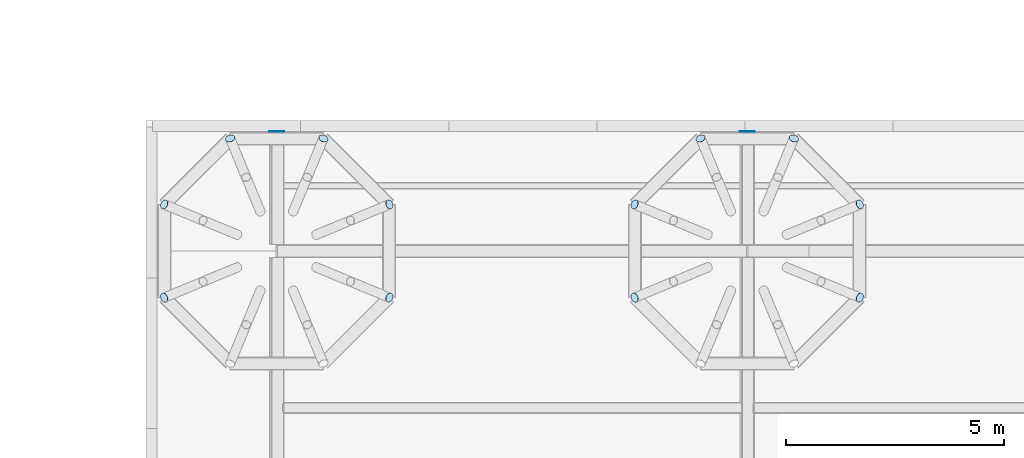
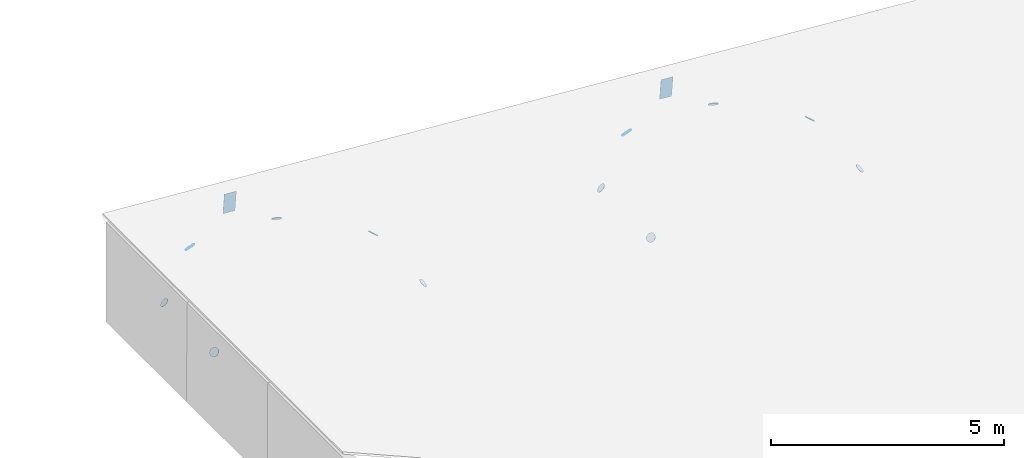
# One storey, part 66 of 95: 14 plates.
"""IFC4 building model written with IfcOpenShell, lengths in metres."""

from ifc_helpers import new_model, si_unit, direction, frame, origin, origin_2d, place, context, subcontext, project, spatial, rectangle, circle, extrude, material, material_profile, profile_set, type_object, element, save


model = new_model("IFC4")

# Units and contexts
model_context = context("Model", 3, precision=1e-05, world=origin(), true_north=direction((0.0, 1.0)))
body_context = subcontext(model_context, "Body", "Model", "MODEL_VIEW")
ifc_project = project(units=[si_unit("LENGTHUNIT", "METRE"), si_unit("AREAUNIT", "SQUARE_METRE"), si_unit("VOLUMEUNIT", "CUBIC_METRE"), si_unit("PLANEANGLEUNIT", "RADIAN"), si_unit("MASSUNIT", "GRAM", prefix="KILO")], contexts=[model_context])

# Site, building, storey
site_placement = place(None, origin())
site = spatial("IfcSite", under=ifc_project, at=site_placement, CompositionType="ELEMENT")
building_placement = place(site_placement, origin())
building = spatial("IfcBuilding", under=site, at=building_placement, Name="Magnolia Steps Interchange", CompositionType="ELEMENT")
storey_placement = place(building_placement, frame((0.0, 0.0, 4.800048828125)))
storey = spatial("IfcBuildingStorey", under=building, at=storey_placement, Name="L01", CompositionType="ELEMENT", Elevation=4.800048828125)

# Plates
ifc_material_1 = material(Name="Steel Q355B", Category="steel")
ifc_material_profile_1 = material_profile(ifc_material_1, circle(Radius=0.109619140625, at=origin_2d()), Name="End plate CHS219x10")
ifc_profile_set_1 = profile_set([ifc_material_profile_1], Name="Steel Q355B")
plate_type_1 = type_object("IfcPlateType", Name="End plate CHS219x10", PredefinedType="SHEET", material=ifc_profile_set_1)
for number, where, z_axis, x_axis, name in (
    (1, (152.97998046875, 75.86865234375, 3.131103515625), (0.664583318381, 0.275279424158, 0.694658370398), (-0.382683432789, 0.923879532336, 0.0), "End plate Tree rib"),
    (2, (151.46875, 77.3798828125, 3.131103515625), (0.275279424158, 0.664583318381, 0.694658370398), (-0.923879532336, 0.382683432789, 0.0), "End plate Tree rib"),
    (3, (149.331298828125, 77.3798828125, 3.131103515625), (-0.275279424158, 0.664583318381, 0.694658370398), (-0.923879532336, -0.382683432789, 0.0), "End plate Tree rib"),
    (4, (147.820068359375, 75.86865234375, 3.131103515625), (-0.664583318381, 0.275279424158, 0.694658370398), (-0.382683432789, -0.923879532336, 0.0), "End plate Tree rib"),
    (5, (147.820068359375, 73.731201171875, 3.131103515625), (-0.664583318381, -0.275279424158, 0.694658370398), (0.382683432789, -0.923879532336, 0.0), "End plate Tree rib"),
    (6, (152.97998046875, 73.731201171875, 3.131103515625), (0.664583318381, -0.275279424158, 0.694658370398), (0.382683432789, 0.923879532336, 0.0), "End plate Tree rib"),
    (7, (163.780029296875, 75.86865234375, 2.34375), (0.664583318381, 0.275279424158, 0.694658370398), (-0.382683432789, 0.923879532336, 0.0), "End plate Tree rib"),
    (8, (162.268798828125, 77.3798828125, 2.34375), (0.275279424158, 0.664583318381, 0.694658370398), (-0.923879532336, 0.382683432789, 0.0), "End plate Tree rib"),
    (9, (160.13134765625, 77.3798828125, 2.34375), (-0.275279424158, 0.664583318381, 0.694658370398), (-0.923879532336, -0.382683432789, 0.0), "End plate Tree rib"),
    (10, (158.6201171875, 75.86865234375, 2.34375), (-0.664583318381, 0.275279424158, 0.694658370398), (-0.382683432789, -0.923879532336, 0.0), "End plate Tree rib"),
    (11, (158.6201171875, 73.731201171875, 2.34375), (-0.664583318381, -0.275279424158, 0.694658370398), (0.382683432789, -0.923879532336, 0.0), "End plate Tree rib"),
    (12, (163.780029296875, 73.731201171875, 2.34375), (0.664583318381, -0.275279424158, 0.694658370398), (0.382683432789, 0.923879532336, 0.0), "End plate Tree rib"),
):
    element("IfcPlate", number, at=place(storey_placement, frame(where, z_axis=z_axis, x_axis=x_axis)), inside=storey, type_object=plate_type_1, Name=name, PredefinedType="SHEET", context=body_context, shape_type="SweptSolid", body=[
        extrude(circle(Radius=0.109619140625, at=origin_2d()), origin(), (0.0, 0.0, 1.0), 0.008056640625),
    ])
ifc_material_2 = material(Name="Steel Q355B", Category="steel")
ifc_material_profile_2 = material_profile(ifc_material_2, rectangle(XDim=0.300048828125, YDim=0.5, at=origin_2d()), Name="End plate RHS500x300x16")
ifc_profile_set_2 = profile_set([ifc_material_profile_2], Name="Steel Q355B")
plate_type_2 = type_object("IfcPlateType", Name="End plate RHS500x300x16", PredefinedType="SHEET", material=ifc_profile_set_2)
for number, where, z_axis, x_axis, name in (
    (13, (150.39990234375, 77.5400390625, 3.830322265625), (0.0, 1.0, 0.0), (-0.997352109794, 0.0, 0.072723923782), "End plate Roof beam"),
    (14, (161.199951171875, 77.5400390625, 3.042724609375), (0.0, 1.0, 0.0), (-0.997352109794, 0.0, 0.072723923782), "End plate Roof beam"),
):
    element("IfcPlate", number, at=place(storey_placement, frame(where, z_axis=z_axis, x_axis=x_axis)), inside=storey, type_object=plate_type_2, Name=name, PredefinedType="SHEET", context=body_context, shape_type="SweptSolid", body=[
        extrude(rectangle(XDim=0.300048828125, YDim=0.5, at=origin_2d()), origin(), (0.0, 0.0, 1.0), 0.008056640625),
    ])

save(model, "model.ifc")
